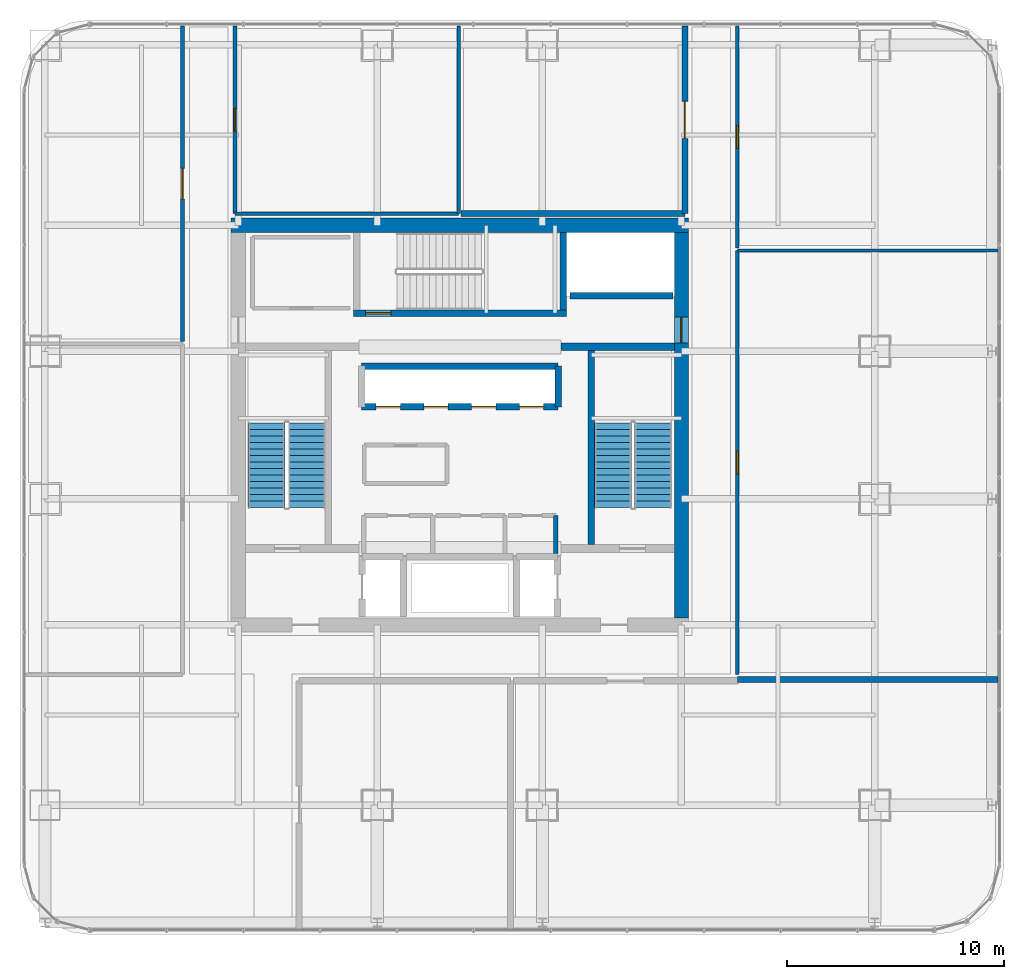
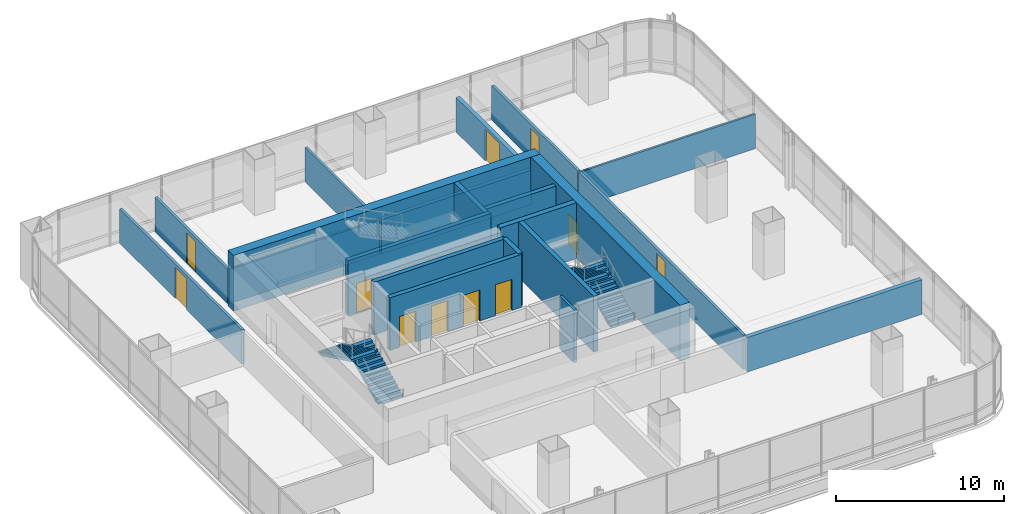
# One storey, part 30 of 35: 21 walls, 11 doors, 4 stair flights, 11 openings, 2 elements without a shape of their own.
"""IFC4 building model written with IfcOpenShell, lengths in metres."""

from ifc_helpers import new_model, si_unit, direction, frame, frame_2d, origin, place, context, subcontext, project, spatial, polyline, rectangle, outline, extrude, material, layer, layer_set, type_object, element, fill, aggregate, save


model = new_model("IFC4")

# Units and contexts
model_context = context("Model", 3, precision=1e-05, world=origin(), true_north=direction((0.0, 1.0)))
body_context = subcontext(model_context, "Body", "Model", "MODEL_VIEW")
ifc_project = project(units=[si_unit("LENGTHUNIT", "METRE"), si_unit("AREAUNIT", "SQUARE_METRE"), si_unit("VOLUMEUNIT", "CUBIC_METRE"), si_unit("PLANEANGLEUNIT", "RADIAN"), si_unit("MASSUNIT", "GRAM", prefix="KILO")], contexts=[model_context])

# Site, building, storey
site_placement = place(None, origin())
site = spatial("IfcSite", under=ifc_project, at=site_placement, CompositionType="ELEMENT")
building_placement = place(site_placement, origin())
building = spatial("IfcBuilding", under=site, at=building_placement, Name="Punatoya Terracotta Tower", CompositionType="ELEMENT")
storey_placement = place(building_placement, frame((0.0, 0.0, 216.75)))
storey = spatial("IfcBuildingStorey", under=building, at=storey_placement, Name="L51", CompositionType="ELEMENT", Elevation=216.75)

# Walls
ifc_material_1 = material(Name="Concrete C40/50", Category="concrete")
ifc_layer_1 = layer(ifc_material_1, 0.280029296875)
ifc_layer_set_1 = layer_set([ifc_layer_1], Name="Concrete C40/50")
wall_type_1 = type_object("IfcWallType", Name="WL-AUD-280", PredefinedType="SOLIDWALL", material=ifc_layer_set_1)
wall_1_placement = place(storey_placement, frame((12.77001953125, -11.7099609375, 0.0), z_axis=(0.0, 0.0, 1.0), x_axis=(1.0, 0.0, 0.0)))
element("IfcWall", 1, at=wall_1_placement, inside=storey, type_object=wall_type_1, Name="L51 Executive Bistro Lounge Partition 19", PredefinedType="SOLIDWALL", context=body_context, shape_type="SweptSolid", body=[
    extrude(rectangle(XDim=12.0, YDim=0.280029296875, at=frame_2d((6.0, 0.0))), origin(), (0.0, 0.0, 1.0), 2.50390625),
])
wall_2_placement = place(storey_placement, frame((10.360107421875, 9.739990234375, 0.0), z_axis=(0.0, 0.0, 1.0), x_axis=(-1.0, 0.0, 0.0)))
element("IfcWall", 2, at=wall_2_placement, inside=storey, type_object=wall_type_1, Name="L51 Open-Plan Waterfront Club Lounge Partition 30", PredefinedType="SOLIDWALL", context=body_context, shape_type="SweptSolid", body=[
    extrude(rectangle(XDim=10.300048828125, YDim=0.280029296875, at=frame_2d((5.14990234375, 0.0))), origin(), (0.0, 0.0, 1.0), 2.50390625),
])

# Wall, opening, door
wall_3_placement = place(storey_placement, frame((10.360107421875, 18.3701171875, 0.0), z_axis=(0.0, 0.0, 1.0), x_axis=(0.0, -1.0, 0.0)))
wall_3 = element("IfcWall", 3, at=wall_3_placement, inside=storey, type_object=wall_type_1, Name="L51 Open-Plan Waterfront Club Lounge Partition 31", PredefinedType="SOLIDWALL", context=body_context, shape_type="SweptSolid", body=[
    extrude(rectangle(XDim=8.630126953125, YDim=0.280029296875, at=frame_2d((4.31494140625, 0.0))), origin(), (0.0, 0.0, 1.0), 2.50390625),
])
opening_1_placement = place(wall_3_placement, frame((3.465087890625, 0.0, 0.0)))
opening_1 = element("IfcOpeningElement", 4, at=opening_1_placement, cuts=wall_3, Name="Opening FD-D1", PredefinedType="OPENING", context=body_context, shape_type="SweptSolid", body=[
    extrude(rectangle(XDim=1.699951171875, YDim=2.300048828125, at=frame_2d((0.85009765625, 1.14990234375))), frame((0.0, 0.14990234375, 0.0), z_axis=(0.0, -1.0, 0.0), x_axis=(1.0, 0.0, 0.0)), (0.0, 0.0, 1.0), 0.300048828125),
])
ifc_material_2 = material(Name="Timber Teak Veneer Fire Leaf", Category="wood")
door_type_1 = type_object("IfcDoorType", Name="DR-DIN-1700", OperationType="NOTDEFINED", PredefinedType="DOOR", material=ifc_material_2)
door_1_placement = place(opening_1_placement, origin())
door_1 = element("IfcDoor", 5, at=door_1_placement, inside=storey, type_object=door_type_1, Name="L51 Open-Plan Waterfront Club Lounge Fire Door", OperationType="DOUBLE_DOOR_SINGLE_SWING", OverallHeight=2.300048828125, OverallWidth=1.699951171875, PredefinedType="DOOR", context=body_context, shape_type="SweptSolid", body=[
    extrude(rectangle(XDim=1.699951171875, YDim=2.300048828125, at=frame_2d((0.85009765625, 1.14990234375))), frame((0.0, 0.02490234375, 0.0), z_axis=(0.0, -1.0, 0.0), x_axis=(1.0, 0.0, 0.0)), (0.0, 0.0, 1.0), 0.050048828125),
])
fill(opening_1, door_1)

# Wall
ifc_material_3 = material(Name="Concrete C60/75", Category="concrete")
ifc_layer_2 = layer(ifc_material_3, 0.64990234375)
ifc_layer_set_2 = layer_set([ifc_layer_2], Name="Concrete C60/75")
wall_type_2 = type_object("IfcWallType", Name="WL-COR-650", PredefinedType="SHEAR", material=ifc_layer_set_2)
wall_4_placement = place(storey_placement, frame((-10.52490234375, 9.199951171875, 0.0), z_axis=(0.0, 0.0, 1.0), x_axis=(1.0, 0.0, 0.0)))
element("IfcWall", 6, at=wall_4_placement, inside=storey, type_object=wall_type_2, Name="L51 Core Shear Wall N", PredefinedType="SHEAR", context=body_context, shape_type="SweptSolid", body=[
    extrude(rectangle(XDim=21.0498046875, YDim=0.64990234375, at=frame_2d((10.52490234375, 0.0))), origin(), (0.0, 0.0, 1.0), 4.050048828125),
])

# Wall, opening, door
wall_5_placement = place(storey_placement, frame((10.199951171875, 8.875, 0.0), z_axis=(0.0, 0.0, 1.0), x_axis=(0.0, -1.0, 0.0)))
wall_5 = element("IfcWall", 7, at=wall_5_placement, inside=storey, type_object=wall_type_2, Name="L51 Core Shear Wall E", PredefinedType="SHEAR", context=body_context, shape_type="SweptSolid", body=[
    extrude(rectangle(XDim=17.75, YDim=0.64990234375, at=frame_2d((8.875, 0.0))), origin(), (0.0, 0.0, 1.0), 4.050048828125),
])
opening_2_placement = place(wall_5_placement, frame((3.905029296875, 0.0, 0.0)))
opening_2 = element("IfcOpeningElement", 8, at=opening_2_placement, cuts=wall_5, Name="Opening SD-01", PredefinedType="OPENING", context=body_context, shape_type="SweptSolid", body=[
    extrude(rectangle(XDim=1.179931640625, YDim=2.199951171875, at=frame_2d((0.58984375, 1.10009765625))), frame((0.0, 0.3349609375, 0.0), z_axis=(0.0, -1.0, 0.0), x_axis=(1.0, 0.0, 0.0)), (0.0, 0.0, 1.0), 0.669921875),
])
ifc_material_4 = material(Name="Galvanised Steel Pressurized Stair Fire Door", Category="steel")
door_type_2 = type_object("IfcDoorType", Name="DR-STR-1180", OperationType="NOTDEFINED", PredefinedType="DOOR", material=ifc_material_4)
door_2_placement = place(opening_2_placement, origin())
door_2 = element("IfcDoor", 9, at=door_2_placement, inside=storey, type_object=door_type_2, Name="L51 Central Lift Lobby East Fire Door", OperationType="SINGLE_SWING_RIGHT", OverallHeight=2.199951171875, OverallWidth=1.179931640625, PredefinedType="DOOR", context=body_context, shape_type="SweptSolid", body=[
    extrude(rectangle(XDim=1.179931640625, YDim=2.199951171875, at=frame_2d((0.58984375, 1.10009765625))), frame((0.0, 0.02490234375, 0.0), z_axis=(0.0, -1.0, 0.0), x_axis=(1.0, 0.0, 0.0)), (0.0, 0.0, 1.0), 0.050048828125),
])
fill(opening_2, door_2)

ifc_material_5 = material(Name="Gypsum Fireboard + Steel Stud", Category="steel")
ifc_layer_3 = layer(ifc_material_5, 0.179931640625)
ifc_layer_set_3 = layer_set([ifc_layer_3], Name="Gypsum Fireboard + Steel Stud")
wall_type_3 = type_object("IfcWallType", Name="WL-CORR-180", PredefinedType="PARTITIONING", material=ifc_layer_set_3)
wall_6_placement = place(storey_placement, frame((12.77001953125, -11.489990234375, 0.0), z_axis=(0.0, 0.0, 1.0), x_axis=(0.0, 1.0, 0.0)))
wall_6 = element("IfcWall", 10, at=wall_6_placement, inside=storey, type_object=wall_type_3, Name="L51 Visitor Reception Salon Partition 23", PredefinedType="PARTITIONING", context=body_context, shape_type="SweptSolid", body=[
    extrude(rectangle(XDim=19.528076171875, YDim=0.179931640625, at=frame_2d((9.76416015625, 0.0))), origin(), (0.0, 0.0, 1.0), 2.50390625),
])
opening_3_placement = place(wall_6_placement, frame((9.239013671875, 0.0, 0.0)))
opening_3 = element("IfcOpeningElement", 11, at=opening_3_placement, cuts=wall_6, Name="Opening OD-01", PredefinedType="OPENING", context=body_context, shape_type="SweptSolid", body=[
    extrude(rectangle(XDim=1.050048828125, YDim=2.199951171875, at=frame_2d((0.52490234375, 1.10009765625))), frame((0.0, 0.099853515625, 0.0), z_axis=(0.0, -1.0, 0.0), x_axis=(1.0, 0.0, 0.0)), (0.0, 0.0, 1.0), 0.199951171875),
])
ifc_material_6 = material(Name="Bengal Teak Solid-Core Leaf")
door_type_3 = type_object("IfcDoorType", Name="DR-OFF-1050", OperationType="NOTDEFINED", PredefinedType="DOOR", material=ifc_material_6)
door_3_placement = place(opening_3_placement, origin())
door_3 = element("IfcDoor", 12, at=door_3_placement, inside=storey, type_object=door_type_3, Name="L51 Visitor Reception Salon Door", OperationType="SINGLE_SWING_LEFT", OverallHeight=2.199951171875, OverallWidth=1.050048828125, PredefinedType="DOOR", context=body_context, shape_type="SweptSolid", body=[
    extrude(rectangle(XDim=1.050048828125, YDim=2.199951171875, at=frame_2d((0.52490234375, 1.10009765625))), frame((0.0, 0.02490234375, 0.0), z_axis=(0.0, -1.0, 0.0), x_axis=(1.0, 0.0, 0.0)), (0.0, 0.0, 1.0), 0.050048828125),
])
fill(opening_3, door_3)

wall_7_placement = place(storey_placement, frame((-12.77001953125, 18.3701171875, 0.0), z_axis=(0.0, 0.0, 1.0), x_axis=(0.0, -1.0, 0.0)))
wall_7 = element("IfcWall", 13, at=wall_7_placement, inside=storey, type_object=wall_type_3, Name="L51 Open-Plan Private Dining Boardroom Partition 25", PredefinedType="PARTITIONING", context=body_context, shape_type="SweptSolid", body=[
    extrude(rectangle(XDim=14.510009765625, YDim=0.179931640625, at=frame_2d((7.2548828125, 0.0))), origin(), (0.0, 0.0, 1.0), 2.50390625),
])
opening_4_placement = place(wall_7_placement, frame((6.554931640625, 0.0, 0.0)))
opening_4 = element("IfcOpeningElement", 14, at=opening_4_placement, cuts=wall_7, Name="Opening BD-01", PredefinedType="OPENING", context=body_context, shape_type="SweptSolid", body=[
    extrude(rectangle(XDim=1.39990234375, YDim=2.25, at=frame_2d((0.699951171875, 1.125))), frame((0.0, 0.099853515625, 0.0), z_axis=(0.0, -1.0, 0.0), x_axis=(1.0, 0.0, 0.0)), (0.0, 0.0, 1.0), 0.199951171875),
])
ifc_material_7 = material(Name="Bengal Teak Acoustic Leaf")
door_type_4 = type_object("IfcDoorType", Name="DR-BRD-1400", OperationType="NOTDEFINED", PredefinedType="DOOR", material=ifc_material_7)
door_4_placement = place(opening_4_placement, origin())
door_4 = element("IfcDoor", 15, at=door_4_placement, inside=storey, type_object=door_type_4, Name="L51 Open-Plan Private Dining Boardroom Door", OperationType="SINGLE_SWING_RIGHT", OverallHeight=2.25, OverallWidth=1.39990234375, PredefinedType="DOOR", context=body_context, shape_type="SweptSolid", body=[
    extrude(rectangle(XDim=1.39990234375, YDim=2.25, at=frame_2d((0.699951171875, 1.125))), frame((0.0, 0.02490234375, 0.0), z_axis=(0.0, -1.0, 0.0), x_axis=(1.0, 0.0, 0.0)), (0.0, 0.0, 1.0), 0.050048828125),
])
fill(opening_4, door_4)

wall_8_placement = place(storey_placement, frame((12.77001953125, 8.157958984375, 0.0), z_axis=(0.0, 0.0, 1.0), x_axis=(0.0, 1.0, 0.0)))
wall_8 = element("IfcWall", 16, at=wall_8_placement, inside=storey, type_object=wall_type_3, Name="L51 Open-Plan Wellness Relaxation Lounge Partition 26", PredefinedType="PARTITIONING", context=body_context, shape_type="SweptSolid", body=[
    extrude(rectangle(XDim=10.212158203125, YDim=0.179931640625, at=frame_2d((5.10595703125, 0.0))), origin(), (0.0, 0.0, 1.0), 2.50390625),
])
opening_5_placement = place(wall_8_placement, frame((4.5810546875, 0.0, 0.0)))
opening_5 = element("IfcOpeningElement", 17, at=opening_5_placement, cuts=wall_8, Name="Opening OD-01", PredefinedType="OPENING", context=body_context, shape_type="SweptSolid", body=[
    extrude(rectangle(XDim=1.050048828125, YDim=2.199951171875, at=frame_2d((0.52490234375, 1.10009765625))), frame((0.0, 0.099853515625, 0.0), z_axis=(0.0, -1.0, 0.0), x_axis=(1.0, 0.0, 0.0)), (0.0, 0.0, 1.0), 0.199951171875),
])
door_5_placement = place(opening_5_placement, origin())
door_5 = element("IfcDoor", 18, at=door_5_placement, inside=storey, type_object=door_type_3, Name="L51 Open-Plan Wellness Relaxation Lounge Door", OperationType="SINGLE_SWING_LEFT", OverallHeight=2.199951171875, OverallWidth=1.050048828125, PredefinedType="DOOR", context=body_context, shape_type="SweptSolid", body=[
    extrude(rectangle(XDim=1.050048828125, YDim=2.199951171875, at=frame_2d((0.52490234375, 1.10009765625))), frame((0.0, 0.02490234375, 0.0), z_axis=(0.0, -1.0, 0.0), x_axis=(1.0, 0.0, 0.0)), (0.0, 0.0, 1.0), 0.050048828125),
])
fill(opening_5, door_5)

wall_9_placement = place(storey_placement, frame((-10.360107421875, 9.739990234375, 0.0), z_axis=(0.0, 0.0, 1.0), x_axis=(0.0, 1.0, 0.0)))
wall_9 = element("IfcWall", 19, at=wall_9_placement, inside=storey, type_object=wall_type_3, Name="L51 Open-Plan Barista Espresso Pantry Partition 29", PredefinedType="PARTITIONING", context=body_context, shape_type="SweptSolid", body=[
    extrude(rectangle(XDim=8.630126953125, YDim=0.179931640625, at=frame_2d((4.31494140625, 0.0))), origin(), (0.0, 0.0, 1.0), 2.50390625),
])
opening_6_placement = place(wall_9_placement, frame((3.7900390625, 0.0, 0.0)))
opening_6 = element("IfcOpeningElement", 20, at=opening_6_placement, cuts=wall_9, Name="Opening OD-01", PredefinedType="OPENING", context=body_context, shape_type="SweptSolid", body=[
    extrude(rectangle(XDim=1.050048828125, YDim=2.199951171875, at=frame_2d((0.52490234375, 1.10009765625))), frame((0.0, 0.099853515625, 0.0), z_axis=(0.0, -1.0, 0.0), x_axis=(1.0, 0.0, 0.0)), (0.0, 0.0, 1.0), 0.199951171875),
])
door_6_placement = place(opening_6_placement, origin())
door_6 = element("IfcDoor", 21, at=door_6_placement, inside=storey, type_object=door_type_3, Name="L51 Open-Plan Barista Espresso Pantry Door", OperationType="SINGLE_SWING_RIGHT", OverallHeight=2.199951171875, OverallWidth=1.050048828125, PredefinedType="DOOR", context=body_context, shape_type="SweptSolid", body=[
    extrude(rectangle(XDim=1.050048828125, YDim=2.199951171875, at=frame_2d((0.52490234375, 1.10009765625))), frame((0.0, 0.02490234375, 0.0), z_axis=(0.0, -1.0, 0.0), x_axis=(1.0, 0.0, 0.0)), (0.0, 0.0, 1.0), 0.050048828125),
])
fill(opening_6, door_6)

# Walls
ifc_layer_4 = layer(ifc_material_1, 0.199951171875)
ifc_layer_set_4 = layer_set([ifc_layer_4], Name="Concrete C40/50")
wall_type_4 = type_object("IfcWallType", Name="WL-INT-200", PredefinedType="SOLIDWALL", material=ifc_layer_set_4)
wall_10_placement = place(storey_placement, frame((4.419921875, -5.89990234375, 0.0), z_axis=(0.0, 0.0, 1.0), x_axis=(0.0, 1.0, 0.0)))
element("IfcWall", 22, at=wall_10_placement, inside=storey, type_object=wall_type_4, Name="L51 Core Electrical Switchgear Room Partition 06", PredefinedType="SOLIDWALL", context=body_context, shape_type="SweptSolid", body=[
    extrude(rectangle(XDim=1.739990234375, YDim=0.199951171875, at=frame_2d((0.8701171875, 0.0))), origin(), (0.0, 0.0, 1.0), 3.830078125),
])
ifc_material_8 = material(Name="Acoustic Gypsum + Steel Stud", Category="steel")
ifc_layer_5 = layer(ifc_material_8, 0.139892578125)
ifc_layer_set_5 = layer_set([ifc_layer_5], Name="Acoustic Gypsum + Steel Stud")
wall_type_5 = type_object("IfcWallType", Name="WL-OFF-140", PredefinedType="PARTITIONING", material=ifc_layer_set_5)
wall_11_placement = place(storey_placement, frame((12.77001953125, 8.0380859375, 0.0), z_axis=(0.0, 0.0, 1.0), x_axis=(1.0, 0.0, 0.0)))
element("IfcWall", 23, at=wall_11_placement, inside=storey, type_object=wall_type_5, Name="L51 Visitor Reception Salon Partition 24", PredefinedType="PARTITIONING", context=body_context, shape_type="SweptSolid", body=[
    extrude(rectangle(XDim=12.0, YDim=0.139892578125, at=frame_2d((6.0, 0.0))), origin(), (0.0, 0.0, 1.0), 2.50390625),
])
ifc_layer_6 = layer(ifc_material_1, 0.300048828125)
ifc_layer_set_6 = layer_set([ifc_layer_6], Name="Concrete C40/50")
wall_type_6 = type_object("IfcWallType", Name="WL-SHF-300", PredefinedType="SOLIDWALL", material=ifc_layer_set_6)
wall_12_placement = place(storey_placement, frame((6.050048828125, 3.449951171875, 0.0), z_axis=(0.0, 0.0, 1.0), x_axis=(0.0, -1.0, 0.0)))
element("IfcWall", 24, at=wall_12_placement, inside=storey, type_object=wall_type_6, Name="L51 Structural Stair Shaft Wall SW-ST2-W", PredefinedType="SOLIDWALL", context=body_context, shape_type="SweptSolid", body=[
    extrude(rectangle(XDim=8.949951171875, YDim=0.300048828125, at=frame_2d((4.47509765625, 0.0))), origin(), (0.0, 0.0, 1.0), 4.050048828125),
])
wall_13_placement = place(storey_placement, frame((4.75, 8.875, 0.0), z_axis=(0.0, 0.0, 1.0), x_axis=(0.0, -1.0, 0.0)))
element("IfcWall", 25, at=wall_13_placement, inside=storey, type_object=wall_type_6, Name="L51 Structural Stair Shaft Wall SW-ST3-E", PredefinedType="SOLIDWALL", context=body_context, shape_type="SweptSolid", body=[
    extrude(rectangle(XDim=3.574951171875, YDim=0.300048828125, at=frame_2d((1.78759765625, 0.0))), origin(), (0.0, 0.0, 1.0), 4.050048828125),
])

# Wall, opening, door
wall_14_placement = place(storey_placement, frame((-4.89990234375, 5.14990234375, 0.0), z_axis=(0.0, 0.0, 1.0), x_axis=(1.0, 0.0, 0.0)))
wall_14 = element("IfcWall", 26, at=wall_14_placement, inside=storey, type_object=wall_type_6, Name="L51 Structural Stair Shaft Wall SW-ST3-S", PredefinedType="SOLIDWALL", context=body_context, shape_type="SweptSolid", body=[
    extrude(rectangle(XDim=9.7998046875, YDim=0.300048828125, at=frame_2d((4.89990234375, 0.0))), origin(), (0.0, 0.0, 1.0), 4.050048828125),
])
opening_7_placement = place(wall_14_placement, frame((0.56005859375, 0.0, 0.0)))
opening_7 = element("IfcOpeningElement", 27, at=opening_7_placement, cuts=wall_14, Name="Opening SD-01", PredefinedType="OPENING", context=body_context, shape_type="SweptSolid", body=[
    extrude(rectangle(XDim=1.179931640625, YDim=2.199951171875, at=frame_2d((0.58984375, 1.10009765625))), frame((0.0, 0.159912109375, 0.0), z_axis=(0.0, -1.0, 0.0), x_axis=(1.0, 0.0, 0.0)), (0.0, 0.0, 1.0), 0.320068359375),
])
door_7_placement = place(opening_7_placement, origin())
door_7 = element("IfcDoor", 28, at=door_7_placement, inside=storey, type_object=door_type_2, Name="L51 Stair ST-3 Core Lobby Fire Door", OperationType="SINGLE_SWING_LEFT", OverallHeight=2.199951171875, OverallWidth=1.179931640625, PredefinedType="DOOR", context=body_context, shape_type="SweptSolid", body=[
    extrude(rectangle(XDim=1.179931640625, YDim=2.199951171875, at=frame_2d((0.58984375, 1.10009765625))), frame((0.0, 0.02490234375, 0.0), z_axis=(0.0, -1.0, 0.0), x_axis=(1.0, 0.0, 0.0)), (0.0, 0.0, 1.0), 0.050048828125),
])
fill(opening_7, door_7)

# Wall, openings, doors
wall_15_placement = place(storey_placement, frame((-4.52001953125, 0.840087890625, 0.0), z_axis=(0.0, 0.0, 1.0), x_axis=(1.0, 0.0, 0.0)))
wall_15 = element("IfcWall", 29, at=wall_15_placement, inside=storey, type_object=wall_type_6, Name="L51 North Lift Bank Front Shaft Wall", PredefinedType="SOLIDWALL", context=body_context, shape_type="SweptSolid", body=[
    extrude(rectangle(XDim=9.0400390625, YDim=0.300048828125, at=frame_2d((4.52001953125, 0.0))), origin(), (0.0, 0.0, 1.0), 3.830078125),
])
opening_8_placement = place(wall_15_placement, frame((0.659912109375, 0.0, 0.0)))
opening_8 = element("IfcOpeningElement", 30, at=opening_8_placement, cuts=wall_15, Name="Opening LD-02", PredefinedType="OPENING", context=body_context, shape_type="SweptSolid", body=[
    extrude(rectangle(XDim=1.1201171875, YDim=2.25, at=frame_2d((0.56005859375, 1.125))), frame((0.0, 0.159912109375, 0.0), z_axis=(0.0, -1.0, 0.0), x_axis=(1.0, 0.0, 0.0)), (0.0, 0.0, 1.0), 0.320068359375),
])
opening_9_placement = place(wall_15_placement, frame((2.860107421875, 0.0, 0.0)))
opening_9 = element("IfcOpeningElement", 31, at=opening_9_placement, cuts=wall_15, Name="Opening LD-02", PredefinedType="OPENING", context=body_context, shape_type="SweptSolid", body=[
    extrude(rectangle(XDim=1.1201171875, YDim=2.25, at=frame_2d((0.56005859375, 1.125))), frame((0.0, 0.159912109375, 0.0), z_axis=(0.0, -1.0, 0.0), x_axis=(1.0, 0.0, 0.0)), (0.0, 0.0, 1.0), 0.320068359375),
])
opening_10_placement = place(wall_15_placement, frame((5.06005859375, 0.0, 0.0)))
opening_10 = element("IfcOpeningElement", 32, at=opening_10_placement, cuts=wall_15, Name="Opening LD-02", PredefinedType="OPENING", context=body_context, shape_type="SweptSolid", body=[
    extrude(rectangle(XDim=1.1201171875, YDim=2.25, at=frame_2d((0.56005859375, 1.125))), frame((0.0, 0.159912109375, 0.0), z_axis=(0.0, -1.0, 0.0), x_axis=(1.0, 0.0, 0.0)), (0.0, 0.0, 1.0), 0.320068359375),
])
opening_11_placement = place(wall_15_placement, frame((7.260009765625, 0.0, 0.0)))
opening_11 = element("IfcOpeningElement", 33, at=opening_11_placement, cuts=wall_15, Name="Opening LD-02", PredefinedType="OPENING", context=body_context, shape_type="SweptSolid", body=[
    extrude(rectangle(XDim=1.1201171875, YDim=2.25, at=frame_2d((0.56005859375, 1.125))), frame((0.0, 0.159912109375, 0.0), z_axis=(0.0, -1.0, 0.0), x_axis=(1.0, 0.0, 0.0)), (0.0, 0.0, 1.0), 0.320068359375),
])
ifc_material_9 = material(Name="Stainless Steel Lift Landing Door", Category="steel")
door_type_5 = type_object("IfcDoorType", Name="DR-LND-1120", OperationType="NOTDEFINED", PredefinedType="DOOR", material=ifc_material_9)
door_8_placement = place(opening_8_placement, origin())
door_8 = element("IfcDoor", 34, at=door_8_placement, inside=storey, type_object=door_type_5, Name="L51 Lift PL-M1 Sliding Landing Door", OperationType="DOUBLE_DOOR_SLIDING", OverallHeight=2.25, OverallWidth=1.1201171875, PredefinedType="DOOR", context=body_context, shape_type="SweptSolid", body=[
    extrude(rectangle(XDim=1.1201171875, YDim=2.25, at=frame_2d((0.56005859375, 1.125))), frame((0.0, 0.02490234375, 0.0), z_axis=(0.0, -1.0, 0.0), x_axis=(1.0, 0.0, 0.0)), (0.0, 0.0, 1.0), 0.050048828125),
])
fill(opening_8, door_8)
door_9_placement = place(opening_9_placement, origin())
door_9 = element("IfcDoor", 35, at=door_9_placement, inside=storey, type_object=door_type_5, Name="L51 Lift PL-M2 Sliding Landing Door", OperationType="DOUBLE_DOOR_SLIDING", OverallHeight=2.25, OverallWidth=1.1201171875, PredefinedType="DOOR", context=body_context, shape_type="SweptSolid", body=[
    extrude(rectangle(XDim=1.1201171875, YDim=2.25, at=frame_2d((0.56005859375, 1.125))), frame((0.0, 0.02490234375, 0.0), z_axis=(0.0, -1.0, 0.0), x_axis=(1.0, 0.0, 0.0)), (0.0, 0.0, 1.0), 0.050048828125),
])
fill(opening_9, door_9)
door_10_placement = place(opening_10_placement, origin())
door_10 = element("IfcDoor", 36, at=door_10_placement, inside=storey, type_object=door_type_5, Name="L51 Lift PL-M3 Sliding Landing Door", OperationType="DOUBLE_DOOR_SLIDING", OverallHeight=2.25, OverallWidth=1.1201171875, PredefinedType="DOOR", context=body_context, shape_type="SweptSolid", body=[
    extrude(rectangle(XDim=1.1201171875, YDim=2.25, at=frame_2d((0.56005859375, 1.125))), frame((0.0, 0.02490234375, 0.0), z_axis=(0.0, -1.0, 0.0), x_axis=(1.0, 0.0, 0.0)), (0.0, 0.0, 1.0), 0.050048828125),
])
fill(opening_10, door_10)
door_11_placement = place(opening_11_placement, origin())
door_11 = element("IfcDoor", 37, at=door_11_placement, inside=storey, type_object=door_type_5, Name="L51 Lift PL-M4 Sliding Landing Door", OperationType="DOUBLE_DOOR_SLIDING", OverallHeight=2.25, OverallWidth=1.1201171875, PredefinedType="DOOR", context=body_context, shape_type="SweptSolid", body=[
    extrude(rectangle(XDim=1.1201171875, YDim=2.25, at=frame_2d((0.56005859375, 1.125))), frame((0.0, 0.02490234375, 0.0), z_axis=(0.0, -1.0, 0.0), x_axis=(1.0, 0.0, 0.0)), (0.0, 0.0, 1.0), 0.050048828125),
])
fill(opening_11, door_11)

# Walls
wall_16_placement = place(storey_placement, frame((-4.52001953125, 2.719970703125, 0.0), z_axis=(0.0, 0.0, 1.0), x_axis=(1.0, 0.0, 0.0)))
element("IfcWall", 38, at=wall_16_placement, inside=storey, type_object=wall_type_6, Name="L51 North Lift Bank Rear Shaft Wall", PredefinedType="SOLIDWALL", context=body_context, shape_type="SweptSolid", body=[
    extrude(rectangle(XDim=9.0400390625, YDim=0.300048828125, at=frame_2d((4.52001953125, 0.0))), origin(), (0.0, 0.0, 1.0), 3.830078125),
])
wall_17_placement = place(storey_placement, frame((4.52001953125, 0.840087890625, 0.0), z_axis=(0.0, 0.0, 1.0), x_axis=(0.0, 1.0, 0.0)))
element("IfcWall", 39, at=wall_17_placement, inside=storey, type_object=wall_type_6, Name="L51 North Lift Bank East End Wall", PredefinedType="SOLIDWALL", context=body_context, shape_type="SweptSolid", body=[
    extrude(rectangle(XDim=1.8798828125, YDim=0.300048828125, at=frame_2d((0.93994140625, 0.0))), origin(), (0.0, 0.0, 1.0), 3.830078125),
])
wall_18_placement = place(storey_placement, frame((5.06005859375, 5.949951171875, 0.0), z_axis=(0.0, 0.0, 1.0), x_axis=(1.0, 0.0, 0.0)))
element("IfcWall", 40, at=wall_18_placement, inside=storey, type_object=wall_type_6, Name="L51 Shuttle SL-2 South Hoistway Wall", PredefinedType="SOLIDWALL", context=body_context, shape_type="SweptSolid", body=[
    extrude(rectangle(XDim=4.760009765625, YDim=0.300048828125, at=frame_2d((2.3798828125, 0.0))), origin(), (0.0, 0.0, 1.0), 3.830078125),
])
ifc_material_10 = material(Name="Concrete C50/60", Category="concrete")
ifc_layer_7 = layer(ifc_material_10, 0.35009765625)
ifc_layer_set_7 = layer_set([ifc_layer_7], Name="Concrete C50/60")
wall_type_7 = type_object("IfcWallType", Name="WL-SHF-350", PredefinedType="SOLIDWALL", material=ifc_layer_set_7)
wall_19_placement = place(storey_placement, frame((4.64990234375, 3.60009765625, 0.0), z_axis=(0.0, 0.0, 1.0), x_axis=(1.0, 0.0, 0.0)))
element("IfcWall", 41, at=wall_19_placement, inside=storey, type_object=wall_type_7, Name="L51 Core Web Wall CNW-R", PredefinedType="SOLIDWALL", context=body_context, shape_type="SweptSolid", body=[
    extrude(rectangle(XDim=5.22509765625, YDim=0.35009765625, at=frame_2d((2.612548828125, 0.0))), origin(), (0.0, 0.0, 1.0), 4.050048828125),
])
ifc_material_11 = material(Name="Masonry Blockwork + Ceramic Tile", Category="masonry")
ifc_layer_8 = layer(ifc_material_11, 0.159912109375)
ifc_layer_set_8 = layer_set([ifc_layer_8], Name="Masonry Blockwork + Ceramic Tile")
wall_type_8 = type_object("IfcWallType", Name="WL-WET-160", PredefinedType="PARTITIONING", material=ifc_layer_set_8)
wall_20_placement = place(storey_placement, frame((-0.06005859375, 18.3701171875, 0.0), z_axis=(0.0, 0.0, 1.0), x_axis=(0.0, -1.0, 0.0)))
element("IfcWall", 42, at=wall_20_placement, inside=storey, type_object=wall_type_8, Name="L51 Open-Plan Barista Espresso Pantry Partition 27", PredefinedType="PARTITIONING", context=body_context, shape_type="SweptSolid", body=[
    extrude(rectangle(XDim=8.630126953125, YDim=0.159912109375, at=frame_2d((4.31494140625, 0.0))), origin(), (0.0, 0.0, 1.0), 2.50390625),
])
wall_21_placement = place(storey_placement, frame((-0.06005859375, 9.739990234375, 0.0), z_axis=(0.0, 0.0, 1.0), x_axis=(-1.0, 0.0, 0.0)))
element("IfcWall", 43, at=wall_21_placement, inside=storey, type_object=wall_type_8, Name="L51 Open-Plan Barista Espresso Pantry Partition 28", PredefinedType="PARTITIONING", context=body_context, shape_type="SweptSolid", body=[
    extrude(rectangle(XDim=10.300048828125, YDim=0.159912109375, at=frame_2d((5.14990234375, 0.0))), origin(), (0.0, 0.0, 1.0), 2.50390625),
])

# Stair, stair flights
stair_type_1 = type_object("IfcStairType", Name="STR-CORE-1550", PredefinedType="HALF_TURN_STAIR", material=ifc_material_1)
stair_1_placement = place(storey_placement, origin())
stair_1 = element("IfcStair", 44, at=stair_1_placement, inside=storey, type_object=stair_type_1, Name="L51 Protected Core Exit Stair ST-1", PredefinedType="HALF_TURN_STAIR")
stair_flight_type_1 = type_object("IfcStairFlightType", Name="SFL-CORE-1550", PredefinedType="STRAIGHT", material=ifc_material_1)
stair_flight_1_placement = place(storey_placement, frame((-7.050048828125, -3.800048828125, 0.0), z_axis=(0.0, 0.0, 1.0), x_axis=(0.0, 1.0, 0.0)))
stair_flight_1 = element("IfcStairFlight", 45, at=stair_flight_1_placement, type_object=stair_flight_type_1, Name="ST-1 flight 1", NumberOfRisers=14, NumberOfTreads=13, PredefinedType="STRAIGHT", RiserHeight=0.144642857, TreadLength=0.3, context=body_context, shape_type="SweptSolid", body=[
    extrude(outline(polyline([(0.0, 0.0), (0.0, 0.14453125), (0.300048828125, 0.14453125), (0.300048828125, 0.289306640625), (0.60009765625, 0.289306640625), (0.60009765625, 0.433837890625), (0.89990234375, 0.433837890625), (0.89990234375, 0.57861328125), (1.199951171875, 0.57861328125), (1.199951171875, 0.72314453125), (1.5, 0.72314453125), (1.5, 0.867919921875), (1.800048828125, 0.867919921875), (1.800048828125, 1.012451171875), (2.10009765625, 1.012451171875), (2.10009765625, 1.1572265625), (2.39990234375, 1.1572265625), (2.39990234375, 1.3017578125), (2.699951171875, 1.3017578125), (2.699951171875, 1.446533203125), (3.0, 1.446533203125), (3.0, 1.591064453125), (3.300048828125, 1.591064453125), (3.300048828125, 1.735595703125), (3.60009765625, 1.735595703125), (3.60009765625, 1.88037109375), (3.89990234375, 1.88037109375), (3.89990234375, 2.02490234375), (3.89990234375, 1.7138671875), (0.34521484375, 0.0), (0.0, 0.0)])), frame((0.0, 0.85009765625, 0.0), z_axis=(0.0, -1.0, 0.0), x_axis=(1.0, 0.0, 0.0)), (0.0, 0.0, 1.0), 1.699951171875),
])
stair_flight_2_placement = place(storey_placement, frame((-8.89990234375, 0.10009765625, 2.02490234375), z_axis=(0.0, 0.0, 1.0), x_axis=(0.0, -1.0, 0.0)))
stair_flight_2 = element("IfcStairFlight", 46, at=stair_flight_2_placement, type_object=stair_flight_type_1, Name="ST-1 flight 2", NumberOfRisers=14, NumberOfTreads=13, PredefinedType="STRAIGHT", RiserHeight=0.144642857, TreadLength=0.3, context=body_context, shape_type="SweptSolid", body=[
    extrude(outline(polyline([(0.0, 0.0), (0.0, 0.14453125), (0.300048828125, 0.14453125), (0.300048828125, 0.289306640625), (0.60009765625, 0.289306640625), (0.60009765625, 0.433837890625), (0.89990234375, 0.433837890625), (0.89990234375, 0.57861328125), (1.199951171875, 0.57861328125), (1.199951171875, 0.72314453125), (1.5, 0.72314453125), (1.5, 0.867919921875), (1.800048828125, 0.867919921875), (1.800048828125, 1.012451171875), (2.10009765625, 1.012451171875), (2.10009765625, 1.1572265625), (2.39990234375, 1.1572265625), (2.39990234375, 1.3017578125), (2.699951171875, 1.3017578125), (2.699951171875, 1.446533203125), (3.0, 1.446533203125), (3.0, 1.591064453125), (3.300048828125, 1.591064453125), (3.300048828125, 1.735595703125), (3.60009765625, 1.735595703125), (3.60009765625, 1.88037109375), (3.89990234375, 1.88037109375), (3.89990234375, 2.02490234375), (3.89990234375, 1.7138671875), (0.34521484375, 0.0), (0.0, 0.0)])), frame((0.0, 0.85009765625, 0.0), z_axis=(0.0, -1.0, 0.0), x_axis=(1.0, 0.0, 0.0)), (0.0, 0.0, 1.0), 1.699951171875),
])
aggregate(stair_1, [stair_flight_1, stair_flight_2])

stair_type_2 = type_object("IfcStairType", Name="STR-LOB-1650", PredefinedType="HALF_TURN_STAIR", material=ifc_material_1)
stair_2_placement = place(storey_placement, origin())
stair_2 = element("IfcStair", 47, at=stair_2_placement, inside=storey, type_object=stair_type_2, Name="L51 Protected Core Exit Stair ST-2", PredefinedType="HALF_TURN_STAIR")
stair_flight_type_2 = type_object("IfcStairFlightType", Name="SFL-LOB-1650", PredefinedType="STRAIGHT", material=ifc_material_1)
stair_flight_3_placement = place(storey_placement, frame((8.89990234375, -3.800048828125, 0.0), z_axis=(0.0, 0.0, 1.0), x_axis=(0.0, 1.0, 0.0)))
stair_flight_3 = element("IfcStairFlight", 48, at=stair_flight_3_placement, type_object=stair_flight_type_2, Name="ST-2 flight 1", NumberOfRisers=14, NumberOfTreads=13, PredefinedType="STRAIGHT", RiserHeight=0.144642857, TreadLength=0.3, context=body_context, shape_type="SweptSolid", body=[
    extrude(outline(polyline([(0.0, 0.0), (0.0, 0.14453125), (0.300048828125, 0.14453125), (0.300048828125, 0.289306640625), (0.60009765625, 0.289306640625), (0.60009765625, 0.433837890625), (0.89990234375, 0.433837890625), (0.89990234375, 0.57861328125), (1.199951171875, 0.57861328125), (1.199951171875, 0.72314453125), (1.5, 0.72314453125), (1.5, 0.867919921875), (1.800048828125, 0.867919921875), (1.800048828125, 1.012451171875), (2.10009765625, 1.012451171875), (2.10009765625, 1.1572265625), (2.39990234375, 1.1572265625), (2.39990234375, 1.3017578125), (2.699951171875, 1.3017578125), (2.699951171875, 1.446533203125), (3.0, 1.446533203125), (3.0, 1.591064453125), (3.300048828125, 1.591064453125), (3.300048828125, 1.735595703125), (3.60009765625, 1.735595703125), (3.60009765625, 1.88037109375), (3.89990234375, 1.88037109375), (3.89990234375, 2.02490234375), (3.89990234375, 1.7138671875), (0.34521484375, 0.0), (0.0, 0.0)])), frame((0.0, 0.85009765625, 0.0), z_axis=(0.0, -1.0, 0.0), x_axis=(1.0, 0.0, 0.0)), (0.0, 0.0, 1.0), 1.699951171875),
])
stair_flight_4_placement = place(storey_placement, frame((7.050048828125, 0.10009765625, 2.02490234375), z_axis=(0.0, 0.0, 1.0), x_axis=(0.0, -1.0, 0.0)))
stair_flight_4 = element("IfcStairFlight", 49, at=stair_flight_4_placement, type_object=stair_flight_type_2, Name="ST-2 flight 2", NumberOfRisers=14, NumberOfTreads=13, PredefinedType="STRAIGHT", RiserHeight=0.144642857, TreadLength=0.3, context=body_context, shape_type="SweptSolid", body=[
    extrude(outline(polyline([(0.0, 0.0), (0.0, 0.14453125), (0.300048828125, 0.14453125), (0.300048828125, 0.289306640625), (0.60009765625, 0.289306640625), (0.60009765625, 0.433837890625), (0.89990234375, 0.433837890625), (0.89990234375, 0.57861328125), (1.199951171875, 0.57861328125), (1.199951171875, 0.72314453125), (1.5, 0.72314453125), (1.5, 0.867919921875), (1.800048828125, 0.867919921875), (1.800048828125, 1.012451171875), (2.10009765625, 1.012451171875), (2.10009765625, 1.1572265625), (2.39990234375, 1.1572265625), (2.39990234375, 1.3017578125), (2.699951171875, 1.3017578125), (2.699951171875, 1.446533203125), (3.0, 1.446533203125), (3.0, 1.591064453125), (3.300048828125, 1.591064453125), (3.300048828125, 1.735595703125), (3.60009765625, 1.735595703125), (3.60009765625, 1.88037109375), (3.89990234375, 1.88037109375), (3.89990234375, 2.02490234375), (3.89990234375, 1.7138671875), (0.34521484375, 0.0), (0.0, 0.0)])), frame((0.0, 0.85009765625, 0.0), z_axis=(0.0, -1.0, 0.0), x_axis=(1.0, 0.0, 0.0)), (0.0, 0.0, 1.0), 1.699951171875),
])
aggregate(stair_2, [stair_flight_3, stair_flight_4])

save(model, "model.ifc")
